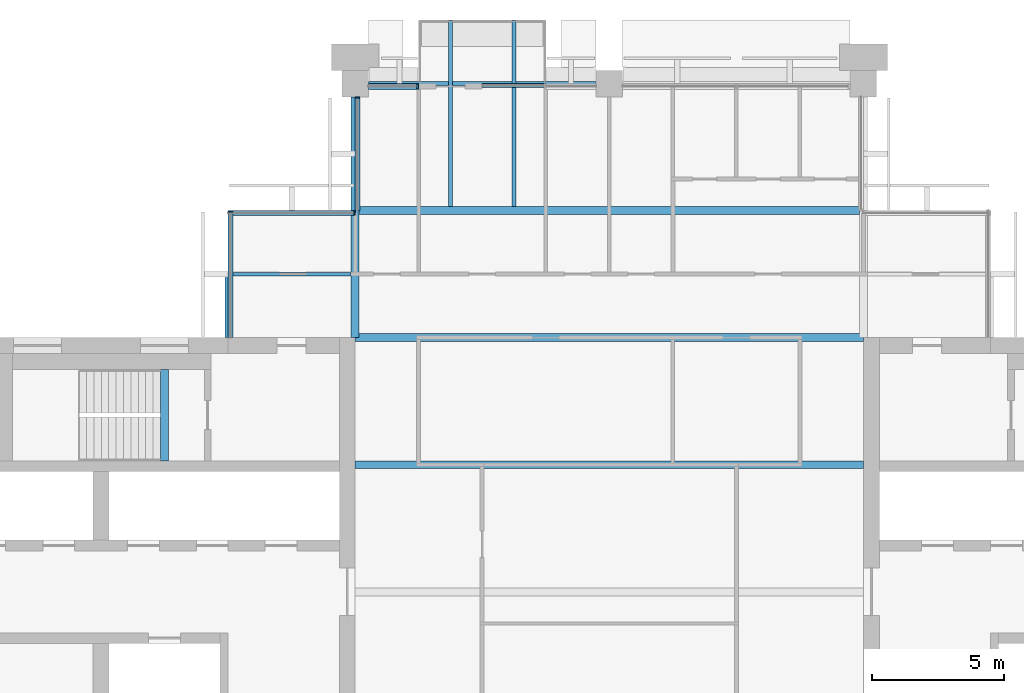
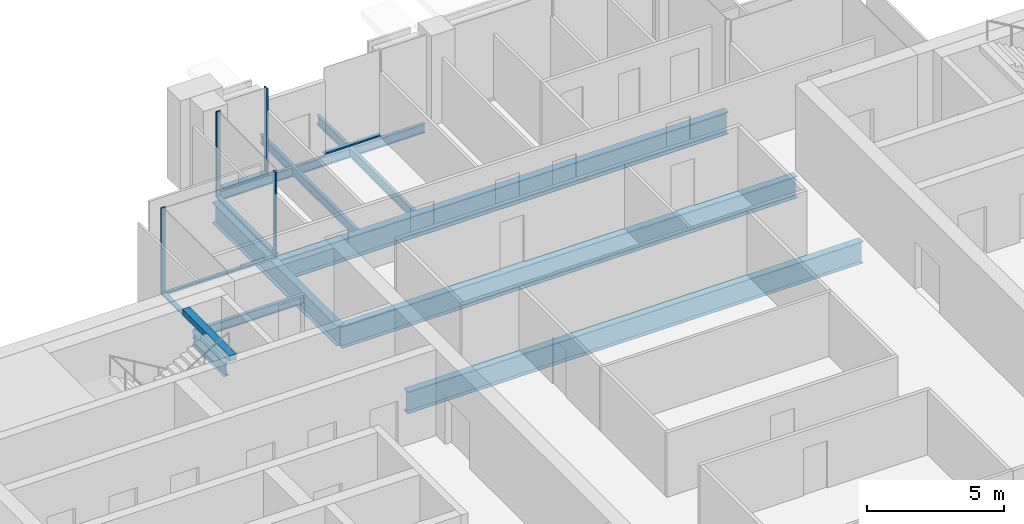
# One storey, part 5 of 13: 12 beams, 9 members, 5 elements without a shape of their own.
"""IFC4 building model written with IfcOpenShell, lengths in metres."""

from ifc_helpers import new_model, si_unit, direction, frame, origin, origin_2d, place, context, subcontext, project, spatial, rectangle, i_section, extrude, material, material_profile, profile_set, type_object, element, aggregate, save


model = new_model("IFC4")

# Units and contexts
model_context = context("Model", 3, precision=1e-05, world=origin(), true_north=direction((0.0, 1.0)))
body_context = subcontext(model_context, "Body", "Model", "MODEL_VIEW")
ifc_project = project(units=[si_unit("LENGTHUNIT", "METRE"), si_unit("AREAUNIT", "SQUARE_METRE"), si_unit("VOLUMEUNIT", "CUBIC_METRE"), si_unit("PLANEANGLEUNIT", "RADIAN"), si_unit("MASSUNIT", "GRAM", prefix="KILO")], contexts=[model_context])

# Site, building, storey
site_placement = place(None, origin())
site = spatial("IfcSite", under=ifc_project, at=site_placement, CompositionType="ELEMENT")
building_placement = place(site_placement, origin())
building = spatial("IfcBuilding", under=site, at=building_placement, Name="Baori Bourse Tower", CompositionType="ELEMENT")
storey_placement = place(building_placement, frame((0.0, 0.0, 314.300048828125)))
storey = spatial("IfcBuildingStorey", under=building, at=storey_placement, Name="L69", CompositionType="ELEMENT", Elevation=314.300048828125)

# Beams
ifc_material_1 = material(Name="Steel A992 Gr 50", Category="steel")
ifc_material_profile_1 = material_profile(ifc_material_1, i_section(OverallWidth=0.140380859375, OverallDepth=0.40380859375, WebThickness=0.007080078125, FlangeThickness=0.01123046875, at=origin_2d()), Name="W16x31")
ifc_profile_set_1 = profile_set([ifc_material_profile_1], Name="Steel A992 Gr 50")
beam_type_1 = type_object("IfcBeamType", Name="Balcony beam W16x31", PredefinedType="BEAM", material=ifc_profile_set_1)
for number, where, z_axis, x_axis, name in (
    (1, (22.800048828125, 50.39990234375, -0.362060546875), (0.0, -1.0, 0.0), (1.0, 0.0, 0.0), "Balcony beam L69"),
    (2, (25.199951171875, 50.39990234375, -0.362060546875), (0.0, -1.0, 0.0), (1.0, 0.0, 0.0), "Balcony beam L69"),
):
    element("IfcBeam", number, at=place(storey_placement, frame(where, z_axis=z_axis, x_axis=x_axis)), inside=storey, type_object=beam_type_1, Name=name, PredefinedType="BEAM", context=body_context, shape_type="SweptSolid", body=[
        extrude(i_section(OverallWidth=0.140380859375, OverallDepth=0.40380859375, WebThickness=0.007080078125, FlangeThickness=0.01123046875, at=origin_2d()), origin(), (0.0, 0.0, 1.0), 7.050048828125),
    ])

# Curtain wall, member
ifc_material_2 = material(Name="Pale anodised aluminium", Category="aluminium")
curtain_wall_type_1 = type_object("IfcCurtainWallType", Name="CW2 Curtain wall", PredefinedType="NOTDEFINED", material=ifc_material_2)
curtain_wall_1_placement = place(storey_placement, origin())
curtain_wall_1 = element("IfcCurtainWall", 3, at=curtain_wall_1_placement, inside=storey, type_object=curtain_wall_type_1, Name="Curtain wall CW2 L69 7", PredefinedType="NOTDEFINED")
ifc_material_3 = material(Name="Pale anodised aluminium", Category="aluminium")
ifc_material_profile_2 = material_profile(ifc_material_3, rectangle(XDim=0.179931640625, YDim=0.054931640625, at=origin_2d()), Name="Mullion 55x180")
ifc_profile_set_2 = profile_set([ifc_material_profile_2], Name="Pale anodised aluminium")
member_type_1 = type_object("IfcMemberType", Name="CW2 Curtain wall mullion", PredefinedType="MULLION", material=ifc_profile_set_2)
member_1_placement = place(storey_placement, frame((19.2900390625, 47.472412109375, 0.070068359375), z_axis=(0.0, 0.0, 1.0), x_axis=(1.0, 0.0, 0.0)))
member_1 = element("IfcMember", 4, at=member_1_placement, type_object=member_type_1, Name="Curtain wall CW2 mullion", PredefinedType="MULLION", context=body_context, shape_type="SweptSolid", body=[
    extrude(rectangle(XDim=0.179931640625, YDim=0.054931640625, at=origin_2d()), origin(), (0.0, 0.0, 1.0), 3.769775390625),
])

curtain_wall_2_placement = place(storey_placement, origin())
curtain_wall_2 = element("IfcCurtainWall", 5, at=curtain_wall_2_placement, inside=storey, type_object=curtain_wall_type_1, Name="Curtain wall CW2 L69 8", PredefinedType="NOTDEFINED")
member_2_placement = place(storey_placement, frame((19.172607421875, 43.110107421875, 0.070068359375), z_axis=(0.0, 0.0, 1.0), x_axis=(0.0, -1.0, 0.0)))
member_2 = element("IfcMember", 6, at=member_2_placement, type_object=member_type_1, Name="Curtain wall CW2 mullion", PredefinedType="MULLION", context=body_context, shape_type="SweptSolid", body=[
    extrude(rectangle(XDim=0.179931640625, YDim=0.054931640625, at=origin_2d()), origin(), (0.0, 0.0, 1.0), 3.769775390625),
])

curtain_wall_3_placement = place(storey_placement, origin())
curtain_wall_3 = element("IfcCurtainWall", 7, at=curtain_wall_3_placement, inside=storey, type_object=curtain_wall_type_1, Name="Curtain wall CW2 L69 9", PredefinedType="NOTDEFINED")
member_3_placement = place(storey_placement, frame((14.489990234375, 43.172607421875, 0.070068359375), z_axis=(0.0, 0.0, 1.0), x_axis=(1.0, 0.0, 0.0)))
member_3 = element("IfcMember", 8, at=member_3_placement, type_object=member_type_1, Name="Curtain wall CW2 mullion", PredefinedType="MULLION", context=body_context, shape_type="SweptSolid", body=[
    extrude(rectangle(XDim=0.179931640625, YDim=0.054931640625, at=origin_2d()), origin(), (0.0, 0.0, 1.0), 3.769775390625),
])

# Member
ifc_material_4 = material(Name="Pale anodised aluminium", Category="aluminium")
ifc_material_profile_3 = material_profile(ifc_material_4, rectangle(XDim=0.179931640625, YDim=0.070068359375, at=origin_2d()), Name="Transom 70x180")
ifc_profile_set_3 = profile_set([ifc_material_profile_3], Name="Pale anodised aluminium")
member_type_2 = type_object("IfcMemberType", Name="CW2 Curtain wall transom", PredefinedType="USERDEFINED", material=ifc_profile_set_3)
member_4_placement = place(storey_placement, frame((19.2900390625, 47.5, 0.034912109375), z_axis=(0.0, -1.0, 0.0), x_axis=(1.0, 0.0, 0.0)))
member_4 = element("IfcMember", 9, at=member_4_placement, type_object=member_type_2, Name="Curtain wall CW2 sill rail", ObjectType="TRANSOM", PredefinedType="USERDEFINED", context=body_context, shape_type="SweptSolid", body=[
    extrude(rectangle(XDim=0.179931640625, YDim=0.070068359375, at=origin_2d()), origin(), (0.0, 0.0, 1.0), 4.300048828125),
])

aggregate(curtain_wall_1, [member_4, member_1])

member_5_placement = place(storey_placement, frame((19.199951171875, 43.110107421875, 0.034912109375), z_axis=(-1.0, 0.0, 0.0), x_axis=(0.0, -1.0, 0.0)))
member_5 = element("IfcMember", 10, at=member_5_placement, type_object=member_type_2, Name="Curtain wall CW2 sill rail", ObjectType="TRANSOM", PredefinedType="USERDEFINED", context=body_context, shape_type="SweptSolid", body=[
    extrude(rectangle(XDim=0.179931640625, YDim=0.070068359375, at=origin_2d()), origin(), (0.0, 0.0, 1.0), 4.800048828125),
])

aggregate(curtain_wall_2, [member_5, member_2])

member_6_placement = place(storey_placement, frame((14.489990234375, 43.199951171875, 0.034912109375), z_axis=(0.0, -1.0, 0.0), x_axis=(1.0, 0.0, 0.0)))
member_6 = element("IfcMember", 11, at=member_6_placement, type_object=member_type_2, Name="Curtain wall CW2 sill rail", ObjectType="TRANSOM", PredefinedType="USERDEFINED", context=body_context, shape_type="SweptSolid", body=[
    extrude(rectangle(XDim=0.179931640625, YDim=0.070068359375, at=origin_2d()), origin(), (0.0, 0.0, 1.0), 4.800048828125),
])

aggregate(curtain_wall_3, [member_6, member_3])

# Curtain wall, members
ifc_material_5 = material(Name="Pale anodised aluminium", Category="aluminium")
curtain_wall_type_2 = type_object("IfcCurtainWallType", Name="CW5 Curtain wall", PredefinedType="NOTDEFINED", material=ifc_material_5)
curtain_wall_4_placement = place(storey_placement, origin())
curtain_wall_4 = element("IfcCurtainWall", 12, at=curtain_wall_4_placement, inside=storey, type_object=curtain_wall_type_2, Name="Curtain wall CW5 L69 6", PredefinedType="NOTDEFINED")
ifc_material_6 = material(Name="Pale anodised aluminium", Category="aluminium")
ifc_material_profile_4 = material_profile(ifc_material_6, rectangle(XDim=0.219970703125, YDim=0.06494140625, at=origin_2d()), Name="Mullion 65x220")
ifc_profile_set_4 = profile_set([ifc_material_profile_4], Name="Pale anodised aluminium")
member_type_3 = type_object("IfcMemberType", Name="CW5 Curtain wall mullion", PredefinedType="MULLION", material=ifc_profile_set_4)
member_7_placement = place(storey_placement, frame((21.5673828125, 47.889892578125, 0.0849609375), z_axis=(0.0, 0.0, 1.0), x_axis=(0.0, -1.0, 0.0)))
member_7 = element("IfcMember", 13, at=member_7_placement, type_object=member_type_3, Name="Curtain wall CW5 mullion", PredefinedType="MULLION", context=body_context, shape_type="SweptSolid", body=[
    extrude(rectangle(XDim=0.219970703125, YDim=0.06494140625, at=origin_2d()), origin(), (0.0, 0.0, 1.0), 3.7548828125),
])
ifc_material_7 = material(Name="Pale anodised aluminium", Category="aluminium")
ifc_material_profile_5 = material_profile(ifc_material_7, rectangle(XDim=0.219970703125, YDim=0.0849609375, at=origin_2d()), Name="Transom 85x220")
ifc_profile_set_5 = profile_set([ifc_material_profile_5], Name="Pale anodised aluminium")
member_type_4 = type_object("IfcMemberType", Name="CW5 Curtain wall transom", PredefinedType="USERDEFINED", material=ifc_profile_set_5)
member_8_placement = place(storey_placement, frame((21.60009765625, 47.889892578125, 0.04248046875), z_axis=(-1.0, 0.0, 0.0), x_axis=(0.0, -1.0, 0.0)))
member_8 = element("IfcMember", 14, at=member_8_placement, type_object=member_type_4, Name="Curtain wall CW5 sill rail", ObjectType="TRANSOM", PredefinedType="USERDEFINED", context=body_context, shape_type="SweptSolid", body=[
    extrude(rectangle(XDim=0.219970703125, YDim=0.0849609375, at=origin_2d()), origin(), (0.0, 0.0, 1.0), 1.900146484375),
])
aggregate(curtain_wall_4, [member_8, member_7])

# Curtain wall, member
ifc_material_8 = material(Name="Pale anodised aluminium", Category="aluminium")
curtain_wall_type_3 = type_object("IfcCurtainWallType", Name="CW6 Curtain wall", PredefinedType="NOTDEFINED", material=ifc_material_8)
curtain_wall_5_placement = place(storey_placement, origin())
curtain_wall_5 = element("IfcCurtainWall", 15, at=curtain_wall_5_placement, inside=storey, type_object=curtain_wall_type_3, Name="Curtain wall CW6 L69 5", PredefinedType="NOTDEFINED")
ifc_material_9 = material(Name="Pale anodised aluminium", Category="aluminium")
ifc_material_profile_6 = material_profile(ifc_material_9, rectangle(XDim=0.14990234375, YDim=0.06494140625, at=origin_2d()), Name="Transom 65x150")
ifc_profile_set_6 = profile_set([ifc_material_profile_6], Name="Pale anodised aluminium")
member_type_5 = type_object("IfcMemberType", Name="CW6 Curtain wall transom", PredefinedType="USERDEFINED", material=ifc_profile_set_6)
member_9_placement = place(storey_placement, frame((26.39990234375, 47.925048828125, 0.032470703125), z_axis=(-1.0, 0.0, 0.0), x_axis=(0.0, -1.0, 0.0)))
member_9 = element("IfcMember", 16, at=member_9_placement, type_object=member_type_5, Name="Curtain wall CW6 sill rail", ObjectType="TRANSOM", PredefinedType="USERDEFINED", context=body_context, shape_type="SweptSolid", body=[
    extrude(rectangle(XDim=0.14990234375, YDim=0.06494140625, at=origin_2d()), origin(), (0.0, 0.0, 1.0), 2.39990234375),
])
aggregate(curtain_wall_5, [member_9])

# Beams
ifc_material_10 = material(Name="Steel A992 Gr 50", Category="steel")
ifc_material_profile_7 = material_profile(ifc_material_10, i_section(OverallWidth=0.227783203125, OverallDepth=0.60205078125, WebThickness=0.010498046875, FlangeThickness=0.014892578125, at=origin_2d()), Name="W24x68")
ifc_profile_set_7 = profile_set([ifc_material_profile_7], Name="Steel A992 Gr 50")
beam_type_2 = type_object("IfcBeamType", Name="Core bracket W24x68", PredefinedType="BEAM", material=ifc_profile_set_7)
beam_1_placement = place(storey_placement, frame((14.39990234375, 38.39990234375, -0.4609375), z_axis=(0.0, 1.0, 0.0), x_axis=(-1.0, 0.0, 0.0)))
element("IfcBeam", 17, at=beam_1_placement, inside=storey, type_object=beam_type_2, Name="Core bracket L69", PredefinedType="BEAM", context=body_context, shape_type="SweptSolid", body=[
    extrude(i_section(OverallWidth=0.227783203125, OverallDepth=0.60205078125, WebThickness=0.010498046875, FlangeThickness=0.014892578125, at=origin_2d()), origin(), (0.0, 0.0, 1.0), 2.329833984375),
])
ifc_material_11 = material(Name="Steel A992 Gr 50", Category="steel")
ifc_material_profile_8 = material_profile(ifc_material_11, i_section(OverallWidth=0.140380859375, OverallDepth=0.40380859375, WebThickness=0.007080078125, FlangeThickness=0.01123046875, at=origin_2d()), Name="W16x31")
ifc_profile_set_8 = profile_set([ifc_material_profile_8], Name="Steel A992 Gr 50")
beam_type_3 = type_object("IfcBeamType", Name="Edge beam W16x31", PredefinedType="BEAM", material=ifc_profile_set_8)
beam_2_placement = place(storey_placement, frame((19.699951171875, 48.0, -0.362060546875), z_axis=(1.0, 0.0, 0.0), x_axis=(0.0, 1.0, 0.0)))
element("IfcBeam", 18, at=beam_2_placement, inside=storey, type_object=beam_type_3, Name="Edge beam L69", PredefinedType="BEAM", context=body_context, shape_type="SweptSolid", body=[
    extrude(i_section(OverallWidth=0.140380859375, OverallDepth=0.40380859375, WebThickness=0.007080078125, FlangeThickness=0.01123046875, at=origin_2d()), origin(), (0.0, 0.0, 1.0), 3.02978515625),
])
beam_3_placement = place(storey_placement, frame((22.8701171875, 48.0, -0.362060546875), z_axis=(1.0, 0.0, 0.0), x_axis=(0.0, 1.0, 0.0)))
element("IfcBeam", 19, at=beam_3_placement, inside=storey, type_object=beam_type_3, Name="Edge beam L69", PredefinedType="BEAM", context=body_context, shape_type="SweptSolid", body=[
    extrude(i_section(OverallWidth=0.140380859375, OverallDepth=0.40380859375, WebThickness=0.007080078125, FlangeThickness=0.01123046875, at=origin_2d()), origin(), (0.0, 0.0, 1.0), 2.259765625),
])
beam_4_placement = place(storey_placement, frame((25.270263671875, 48.0, -0.362060546875), z_axis=(1.0, 0.0, 0.0), x_axis=(0.0, 1.0, 0.0)))
element("IfcBeam", 20, at=beam_4_placement, inside=storey, type_object=beam_type_3, Name="Edge beam L69", PredefinedType="BEAM", context=body_context, shape_type="SweptSolid", body=[
    extrude(i_section(OverallWidth=0.140380859375, OverallDepth=0.40380859375, WebThickness=0.007080078125, FlangeThickness=0.01123046875, at=origin_2d()), origin(), (0.0, 0.0, 1.0), 3.02978515625),
])
ifc_material_12 = material(Name="Steel A992 Gr 50", Category="steel")
ifc_material_profile_9 = material_profile(ifc_material_12, i_section(OverallWidth=0.2998046875, OverallDepth=0.97021484375, WebThickness=0.01611328125, FlangeThickness=0.02099609375, at=origin_2d()), Name="W40x149")
ifc_profile_set_9 = profile_set([ifc_material_profile_9], Name="Steel A992 Gr 50")
beam_type_4 = type_object("IfcBeamType", Name="Floor beam W40x149", PredefinedType="BEAM", material=ifc_profile_set_9)
for number, where, z_axis, x_axis, name in (
    (21, (19.199951171875, 33.60009765625, -0.645263671875), (1.0, 0.0, 0.0), (0.0, 1.0, 0.0), "Floor beam L69"),
    (22, (19.199951171875, 38.39990234375, -0.645263671875), (1.0, 0.0, 0.0), (0.0, 1.0, 0.0), "Floor beam L69"),
):
    element("IfcBeam", number, at=place(storey_placement, frame(where, z_axis=z_axis, x_axis=x_axis)), inside=storey, type_object=beam_type_4, Name=name, PredefinedType="BEAM", context=body_context, shape_type="SweptSolid", body=[
        extrude(i_section(OverallWidth=0.2998046875, OverallDepth=0.97021484375, WebThickness=0.01611328125, FlangeThickness=0.02099609375, at=origin_2d()), origin(), (0.0, 0.0, 1.0), 19.199951171875),
    ])
ifc_material_13 = material(Name="Steel A992 Gr 50", Category="steel")
ifc_material_profile_10 = material_profile(ifc_material_13, i_section(OverallWidth=0.2998046875, OverallDepth=0.990478515625, WebThickness=0.0166015625, FlangeThickness=0.030517578125, at=origin_2d()), Name="W40x183")
ifc_profile_set_10 = profile_set([ifc_material_profile_10], Name="Steel A992 Gr 50")
beam_type_5 = type_object("IfcBeamType", Name="Floor beam W40x183", PredefinedType="BEAM", material=ifc_profile_set_10)
beam_5_placement = place(storey_placement, frame((19.352294921875, 43.199951171875, -0.6552734375), z_axis=(1.0, 0.0, 0.0), x_axis=(0.0, 1.0, 0.0)))
element("IfcBeam", 23, at=beam_5_placement, inside=storey, type_object=beam_type_5, Name="Floor beam L69", PredefinedType="BEAM", context=body_context, shape_type="SweptSolid", body=[
    extrude(i_section(OverallWidth=0.2998046875, OverallDepth=0.990478515625, WebThickness=0.0166015625, FlangeThickness=0.030517578125, at=origin_2d()), origin(), (0.0, 0.0, 1.0), 18.901611328125),
])
ifc_material_14 = material(Name="Steel A992 Gr 50", Category="steel")
ifc_material_profile_11 = material_profile(ifc_material_14, i_section(OverallWidth=0.3046875, OverallDepth=0.904296875, WebThickness=0.01513671875, FlangeThickness=0.02001953125, at=origin_2d()), Name="W36x135")
ifc_profile_set_11 = profile_set([ifc_material_profile_11], Name="Steel A992 Gr 50")
beam_type_6 = type_object("IfcBeamType", Name="Girder W36x135", PredefinedType="BEAM", material=ifc_profile_set_11)
beam_6_placement = place(storey_placement, frame((19.199951171875, 38.39990234375, -0.612060546875), z_axis=(0.0, 1.0, 0.0), x_axis=(-1.0, 0.0, 0.0)))
element("IfcBeam", 24, at=beam_6_placement, inside=storey, type_object=beam_type_6, Name="Girder L69", PredefinedType="BEAM", context=body_context, shape_type="SweptSolid", body=[
    extrude(i_section(OverallWidth=0.3046875, OverallDepth=0.904296875, WebThickness=0.01513671875, FlangeThickness=0.02001953125, at=origin_2d()), origin(), (0.0, 0.0, 1.0), 9.10009765625),
])
ifc_material_15 = material(Name="Concrete f'c 50 MPa", Category="concrete")
ifc_material_profile_12 = material_profile(ifc_material_15, rectangle(XDim=0.300048828125, YDim=0.25, at=origin_2d()), Name="RC 300x250")
ifc_profile_set_12 = profile_set([ifc_material_profile_12], Name="Concrete f'c 50 MPa")
beam_type_7 = type_object("IfcBeamType", Name="Stair nib beam RC 300x250", PredefinedType="BEAM", material=ifc_profile_set_12)
beam_7_placement = place(storey_placement, frame((12.0, 33.75, 3.71484375), z_axis=(0.0, 1.0, 0.0), x_axis=(-1.0, 0.0, 0.0)))
element("IfcBeam", 25, at=beam_7_placement, inside=storey, type_object=beam_type_7, Name="Stair WB nib beam L70", PredefinedType="BEAM", context=body_context, shape_type="SweptSolid", body=[
    extrude(rectangle(XDim=0.300048828125, YDim=0.25, at=origin_2d()), origin(), (0.0, 0.0, 1.0), 3.449951171875),
])
ifc_material_16 = material(Name="Steel A992 Gr 50", Category="steel")
ifc_material_profile_13 = material_profile(ifc_material_16, i_section(OverallWidth=0.140380859375, OverallDepth=0.40380859375, WebThickness=0.007080078125, FlangeThickness=0.01123046875, at=origin_2d()), Name="W16x31")
ifc_profile_set_13 = profile_set([ifc_material_profile_13], Name="Steel A992 Gr 50")
beam_type_8 = type_object("IfcBeamType", Name="Trimmer beam W16x31", PredefinedType="BEAM", material=ifc_profile_set_13)
beam_8_placement = place(storey_placement, frame((14.39990234375, 40.800048828125, -0.362060546875), z_axis=(1.0, 0.0, 0.0), x_axis=(0.0, 1.0, 0.0)))
element("IfcBeam", 26, at=beam_8_placement, inside=storey, type_object=beam_type_8, Name="Trimmer beam L69", PredefinedType="BEAM", context=body_context, shape_type="SweptSolid", body=[
    extrude(i_section(OverallWidth=0.140380859375, OverallDepth=0.40380859375, WebThickness=0.007080078125, FlangeThickness=0.01123046875, at=origin_2d()), origin(), (0.0, 0.0, 1.0), 4.647705078125),
])

save(model, "model.ifc")
